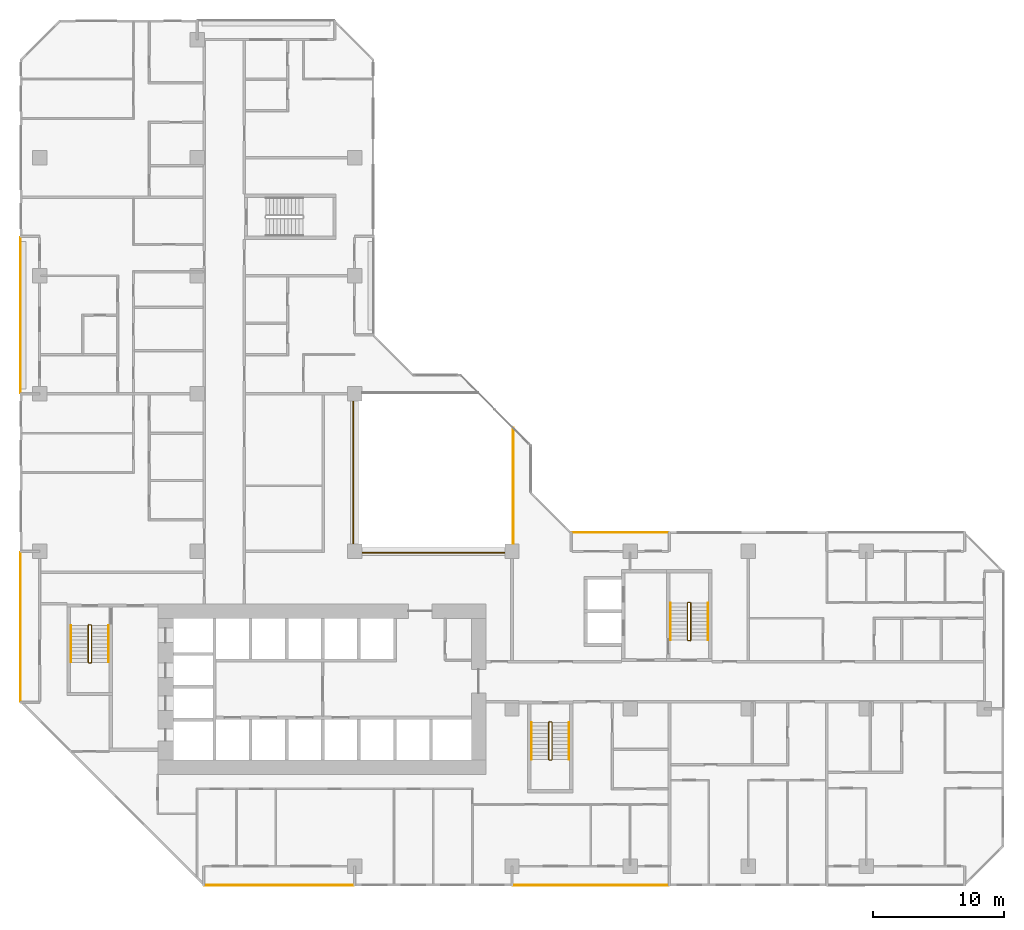
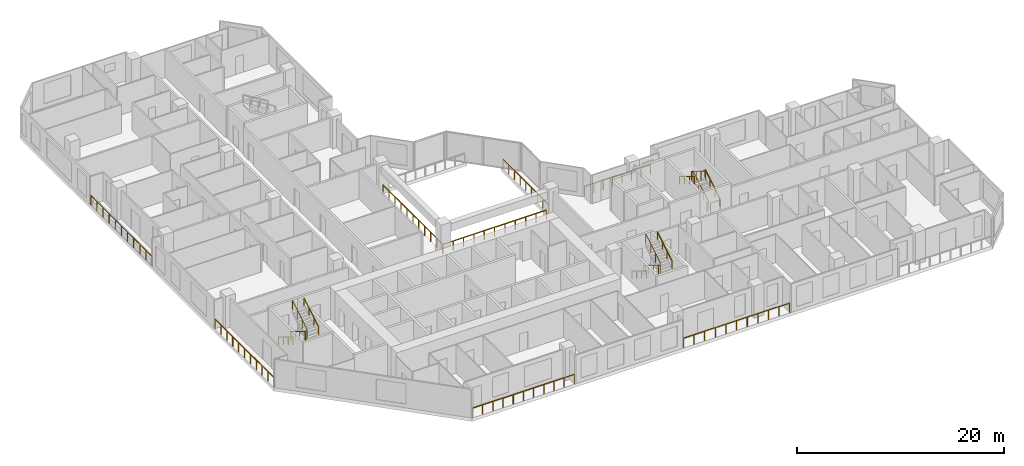
# One storey, part 14 of 15: 16 railings.
"""IFC4 building model written with IfcOpenShell, lengths in metres."""

from ifc_helpers import new_model, si_unit, direction, frame, origin, origin_2d, place, context, subcontext, project, spatial, rectangle, extrude, material, type_object, element, save


model = new_model("IFC4")

# Units and contexts
model_context = context("Model", 3, precision=1e-05, world=origin(), true_north=direction((0.0, 1.0)))
body_context = subcontext(model_context, "Body", "Model", "MODEL_VIEW")
ifc_project = project(units=[si_unit("LENGTHUNIT", "METRE"), si_unit("AREAUNIT", "SQUARE_METRE"), si_unit("VOLUMEUNIT", "CUBIC_METRE"), si_unit("PLANEANGLEUNIT", "RADIAN"), si_unit("MASSUNIT", "GRAM", prefix="KILO")], contexts=[model_context])

# Site, building, storey
site_placement = place(None, origin())
site = spatial("IfcSite", under=ifc_project, at=site_placement, CompositionType="ELEMENT")
building_placement = place(site_placement, origin())
building = spatial("IfcBuilding", under=site, at=building_placement, Name="Chenar Terraces", CompositionType="ELEMENT")
storey_placement = place(building_placement, frame((0.0, 0.0, 45.14990234375)))
storey = spatial("IfcBuildingStorey", under=building, at=storey_placement, Name="L08", CompositionType="ELEMENT", Elevation=45.14990234375)

# Railings
ifc_material_1 = material(Name="Powder-coated steel", Category="steel")
railing_type_1 = type_object("IfcRailingType", Name="Guard 1100 steel rail with glass infill", PredefinedType="GUARDRAIL", material=ifc_material_1)
railing_1_placement = place(storey_placement, frame((23.89990234375, 35.449951171875, 0.0)))
element("IfcRailing", 1, at=railing_1_placement, inside=storey, type_object=railing_type_1, Name="Guard L08-1", PredefinedType="GUARDRAIL", context=body_context, shape_type="SweptSolid", body=[
    extrude(rectangle(XDim=0.06005859375, YDim=0.06005859375, at=origin_2d()), frame((0.0, 0.0, 1.070068359375), z_axis=(0.0, -1.0, 0.0), x_axis=(1.0, 0.0, 0.0)), (0.0, 0.0, 1.0), 11.550048828125),
    extrude(rectangle(XDim=0.06005859375, YDim=0.06005859375, at=origin_2d()), frame((0.0, -11.550048828125, 1.070068359375), z_axis=(1.0, 0.0, 0.0), x_axis=(0.0, 1.0, 0.0)), (0.0, 0.0, 1.0), 11.550048828125),
    extrude(rectangle(XDim=0.050048828125, YDim=0.050048828125, at=origin_2d()), origin(), (0.0, 0.0, 1.0), 1.0400390625),
    extrude(rectangle(XDim=0.050048828125, YDim=0.050048828125, at=origin_2d()), frame((0.0, -1.155029296875, 0.0)), (0.0, 0.0, 1.0), 1.0400390625),
    extrude(rectangle(XDim=0.050048828125, YDim=0.050048828125, at=origin_2d()), frame((0.0, -2.31005859375, 0.0)), (0.0, 0.0, 1.0), 1.0400390625),
    extrude(rectangle(XDim=0.050048828125, YDim=0.050048828125, at=origin_2d()), frame((0.0, -3.465087890625, 0.0)), (0.0, 0.0, 1.0), 1.0400390625),
    extrude(rectangle(XDim=0.050048828125, YDim=0.050048828125, at=origin_2d()), frame((0.0, -4.6201171875, 0.0)), (0.0, 0.0, 1.0), 1.0400390625),
    extrude(rectangle(XDim=0.050048828125, YDim=0.050048828125, at=origin_2d()), frame((0.0, -5.77490234375, 0.0)), (0.0, 0.0, 1.0), 1.0400390625),
    extrude(rectangle(XDim=0.050048828125, YDim=0.050048828125, at=origin_2d()), frame((0.0, -6.929931640625, 0.0)), (0.0, 0.0, 1.0), 1.0400390625),
    extrude(rectangle(XDim=0.050048828125, YDim=0.050048828125, at=origin_2d()), frame((0.0, -8.0849609375, 0.0)), (0.0, 0.0, 1.0), 1.0400390625),
    extrude(rectangle(XDim=0.050048828125, YDim=0.050048828125, at=origin_2d()), frame((0.0, -9.239990234375, 0.0)), (0.0, 0.0, 1.0), 1.0400390625),
    extrude(rectangle(XDim=0.050048828125, YDim=0.050048828125, at=origin_2d()), frame((0.0, -10.39501953125, 0.0)), (0.0, 0.0, 1.0), 1.0400390625),
    extrude(rectangle(XDim=0.050048828125, YDim=0.050048828125, at=origin_2d()), frame((0.0, -11.550048828125, 0.0)), (0.0, 0.0, 1.0), 1.0400390625),
    extrude(rectangle(XDim=0.050048828125, YDim=0.050048828125, at=origin_2d()), frame((1.155029296875, -11.550048828125, 0.0)), (0.0, 0.0, 1.0), 1.0400390625),
    extrude(rectangle(XDim=0.050048828125, YDim=0.050048828125, at=origin_2d()), frame((2.31005859375, -11.550048828125, 0.0)), (0.0, 0.0, 1.0), 1.0400390625),
    extrude(rectangle(XDim=0.050048828125, YDim=0.050048828125, at=origin_2d()), frame((3.465087890625, -11.550048828125, 0.0)), (0.0, 0.0, 1.0), 1.0400390625),
    extrude(rectangle(XDim=0.050048828125, YDim=0.050048828125, at=origin_2d()), frame((4.6201171875, -11.550048828125, 0.0)), (0.0, 0.0, 1.0), 1.0400390625),
    extrude(rectangle(XDim=0.050048828125, YDim=0.050048828125, at=origin_2d()), frame((5.77490234375, -11.550048828125, 0.0)), (0.0, 0.0, 1.0), 1.0400390625),
    extrude(rectangle(XDim=0.050048828125, YDim=0.050048828125, at=origin_2d()), frame((6.929931640625, -11.550048828125, 0.0)), (0.0, 0.0, 1.0), 1.0400390625),
    extrude(rectangle(XDim=0.050048828125, YDim=0.050048828125, at=origin_2d()), frame((8.0849609375, -11.550048828125, 0.0)), (0.0, 0.0, 1.0), 1.0400390625),
    extrude(rectangle(XDim=0.050048828125, YDim=0.050048828125, at=origin_2d()), frame((9.239990234375, -11.550048828125, 0.0)), (0.0, 0.0, 1.0), 1.0400390625),
    extrude(rectangle(XDim=0.050048828125, YDim=0.050048828125, at=origin_2d()), frame((10.39501953125, -11.550048828125, 0.0)), (0.0, 0.0, 1.0), 1.0400390625),
    extrude(rectangle(XDim=0.050048828125, YDim=0.050048828125, at=origin_2d()), frame((11.550048828125, -11.550048828125, 0.0)), (0.0, 0.0, 1.0), 1.0400390625),
])
railing_2_placement = place(storey_placement, frame((36.10009765625, 24.60009765625, 0.0)))
element("IfcRailing", 2, at=railing_2_placement, inside=storey, type_object=railing_type_1, Name="Guard L08-3", PredefinedType="GUARDRAIL", context=body_context, shape_type="SweptSolid", body=[
    extrude(rectangle(XDim=0.06005859375, YDim=0.06005859375, at=origin_2d()), frame((0.0, 0.0, 1.070068359375), z_axis=(0.0, 1.0, 0.0), x_axis=(-1.0, 0.0, 0.0)), (0.0, 0.0, 1.0), 8.7998046875),
    extrude(rectangle(XDim=0.050048828125, YDim=0.050048828125, at=origin_2d()), origin(), (0.0, 0.0, 1.0), 1.0400390625),
    extrude(rectangle(XDim=0.050048828125, YDim=0.050048828125, at=origin_2d()), frame((0.0, 1.10009765625, 0.0)), (0.0, 0.0, 1.0), 1.0400390625),
    extrude(rectangle(XDim=0.050048828125, YDim=0.050048828125, at=origin_2d()), frame((0.0, 2.199951171875, 0.0)), (0.0, 0.0, 1.0), 1.0400390625),
    extrude(rectangle(XDim=0.050048828125, YDim=0.050048828125, at=origin_2d()), frame((0.0, 3.2998046875, 0.0)), (0.0, 0.0, 1.0), 1.0400390625),
    extrude(rectangle(XDim=0.050048828125, YDim=0.050048828125, at=origin_2d()), frame((0.0, 4.39990234375, 0.0)), (0.0, 0.0, 1.0), 1.0400390625),
    extrude(rectangle(XDim=0.050048828125, YDim=0.050048828125, at=origin_2d()), frame((0.0, 5.5, 0.0)), (0.0, 0.0, 1.0), 1.0400390625),
    extrude(rectangle(XDim=0.050048828125, YDim=0.050048828125, at=origin_2d()), frame((0.0, 6.599853515625, 0.0)), (0.0, 0.0, 1.0), 1.0400390625),
    extrude(rectangle(XDim=0.050048828125, YDim=0.050048828125, at=origin_2d()), frame((0.0, 7.69970703125, 0.0)), (0.0, 0.0, 1.0), 1.0400390625),
    extrude(rectangle(XDim=0.050048828125, YDim=0.050048828125, at=origin_2d()), frame((0.0, 8.7998046875, 0.0)), (0.0, 0.0, 1.0), 1.0400390625),
])
ifc_material_2 = material(Name="Stainless steel and glass", Category="steel")
railing_type_2 = type_object("IfcRailingType", Name="Loggia guard 1150", PredefinedType="GUARDRAIL", material=ifc_material_2)
railing_3_placement = place(storey_placement, frame((47.925048828125, 25.449951171875, 0.0)))
element("IfcRailing", 3, at=railing_3_placement, inside=storey, type_object=railing_type_2, Name="Loggia guard", PredefinedType="GUARDRAIL", context=body_context, shape_type="SweptSolid", body=[
    extrude(rectangle(XDim=0.048095703125, YDim=0.048095703125, at=origin_2d()), frame((0.0, 0.0, 1.1259765625), z_axis=(-1.0, 0.0, 0.0), x_axis=(0.0, -1.0, 0.0)), (0.0, 0.0, 1.0), 7.35009765625),
    extrude(rectangle(XDim=0.0419921875, YDim=0.0419921875, at=origin_2d()), origin(), (0.0, 0.0, 1.0), 1.101806640625),
    extrude(rectangle(XDim=0.0419921875, YDim=0.0419921875, at=origin_2d()), frame((-1.050048828125, 0.0, 0.0)), (0.0, 0.0, 1.0), 1.101806640625),
    extrude(rectangle(XDim=0.0419921875, YDim=0.0419921875, at=origin_2d()), frame((-2.10009765625, 0.0, 0.0)), (0.0, 0.0, 1.0), 1.101806640625),
    extrude(rectangle(XDim=0.0419921875, YDim=0.0419921875, at=origin_2d()), frame((-3.150146484375, 0.0, 0.0)), (0.0, 0.0, 1.0), 1.101806640625),
    extrude(rectangle(XDim=0.0419921875, YDim=0.0419921875, at=origin_2d()), frame((-4.199951171875, 0.0, 0.0)), (0.0, 0.0, 1.0), 1.101806640625),
    extrude(rectangle(XDim=0.0419921875, YDim=0.0419921875, at=origin_2d()), frame((-5.25, 0.0, 0.0)), (0.0, 0.0, 1.0), 1.101806640625),
    extrude(rectangle(XDim=0.0419921875, YDim=0.0419921875, at=origin_2d()), frame((-6.300048828125, 0.0, 0.0)), (0.0, 0.0, 1.0), 1.101806640625),
    extrude(rectangle(XDim=0.0419921875, YDim=0.0419921875, at=origin_2d()), frame((-7.35009765625, 0.0, 0.0)), (0.0, 0.0, 1.0), 1.101806640625),
])
railing_4_placement = place(storey_placement, frame((12.574951171875, -1.449951171875, 0.0)))
element("IfcRailing", 4, at=railing_4_placement, inside=storey, type_object=railing_type_2, Name="Loggia guard", PredefinedType="GUARDRAIL", context=body_context, shape_type="SweptSolid", body=[
    extrude(rectangle(XDim=0.048095703125, YDim=0.048095703125, at=origin_2d()), frame((0.0, 0.0, 1.1259765625), z_axis=(1.0, 0.0, 0.0), x_axis=(0.0, 1.0, 0.0)), (0.0, 0.0, 1.0), 11.35009765625),
    extrude(rectangle(XDim=0.0419921875, YDim=0.0419921875, at=origin_2d()), origin(), (0.0, 0.0, 1.0), 1.101806640625),
    extrude(rectangle(XDim=0.0419921875, YDim=0.0419921875, at=origin_2d()), frame((1.135009765625, 0.0, 0.0)), (0.0, 0.0, 1.0), 1.101806640625),
    extrude(rectangle(XDim=0.0419921875, YDim=0.0419921875, at=origin_2d()), frame((2.27001953125, 0.0, 0.0)), (0.0, 0.0, 1.0), 1.101806640625),
    extrude(rectangle(XDim=0.0419921875, YDim=0.0419921875, at=origin_2d()), frame((3.405029296875, 0.0, 0.0)), (0.0, 0.0, 1.0), 1.101806640625),
    extrude(rectangle(XDim=0.0419921875, YDim=0.0419921875, at=origin_2d()), frame((4.5400390625, 0.0, 0.0)), (0.0, 0.0, 1.0), 1.101806640625),
    extrude(rectangle(XDim=0.0419921875, YDim=0.0419921875, at=origin_2d()), frame((5.675048828125, 0.0, 0.0)), (0.0, 0.0, 1.0), 1.101806640625),
    extrude(rectangle(XDim=0.0419921875, YDim=0.0419921875, at=origin_2d()), frame((6.81005859375, 0.0, 0.0)), (0.0, 0.0, 1.0), 1.101806640625),
    extrude(rectangle(XDim=0.0419921875, YDim=0.0419921875, at=origin_2d()), frame((7.945068359375, 0.0, 0.0)), (0.0, 0.0, 1.0), 1.101806640625),
    extrude(rectangle(XDim=0.0419921875, YDim=0.0419921875, at=origin_2d()), frame((9.080078125, 0.0, 0.0)), (0.0, 0.0, 1.0), 1.101806640625),
    extrude(rectangle(XDim=0.0419921875, YDim=0.0419921875, at=origin_2d()), frame((10.215087890625, 0.0, 0.0)), (0.0, 0.0, 1.0), 1.101806640625),
    extrude(rectangle(XDim=0.0419921875, YDim=0.0419921875, at=origin_2d()), frame((11.35009765625, 0.0, 0.0)), (0.0, 0.0, 1.0), 1.101806640625),
])
railing_5_placement = place(storey_placement, frame((36.074951171875, -1.449951171875, 0.0)))
element("IfcRailing", 5, at=railing_5_placement, inside=storey, type_object=railing_type_2, Name="Loggia guard", PredefinedType="GUARDRAIL", context=body_context, shape_type="SweptSolid", body=[
    extrude(rectangle(XDim=0.048095703125, YDim=0.048095703125, at=origin_2d()), frame((0.0, 0.0, 1.1259765625), z_axis=(1.0, 0.0, 0.0), x_axis=(0.0, 1.0, 0.0)), (0.0, 0.0, 1.0), 11.85009765625),
    extrude(rectangle(XDim=0.0419921875, YDim=0.0419921875, at=origin_2d()), origin(), (0.0, 0.0, 1.0), 1.101806640625),
    extrude(rectangle(XDim=0.0419921875, YDim=0.0419921875, at=origin_2d()), frame((1.18505859375, 0.0, 0.0)), (0.0, 0.0, 1.0), 1.101806640625),
    extrude(rectangle(XDim=0.0419921875, YDim=0.0419921875, at=origin_2d()), frame((2.3701171875, 0.0, 0.0)), (0.0, 0.0, 1.0), 1.101806640625),
    extrude(rectangle(XDim=0.0419921875, YDim=0.0419921875, at=origin_2d()), frame((3.554931640625, 0.0, 0.0)), (0.0, 0.0, 1.0), 1.101806640625),
    extrude(rectangle(XDim=0.0419921875, YDim=0.0419921875, at=origin_2d()), frame((4.739990234375, 0.0, 0.0)), (0.0, 0.0, 1.0), 1.101806640625),
    extrude(rectangle(XDim=0.0419921875, YDim=0.0419921875, at=origin_2d()), frame((5.925048828125, 0.0, 0.0)), (0.0, 0.0, 1.0), 1.101806640625),
    extrude(rectangle(XDim=0.0419921875, YDim=0.0419921875, at=origin_2d()), frame((7.110107421875, 0.0, 0.0)), (0.0, 0.0, 1.0), 1.101806640625),
    extrude(rectangle(XDim=0.0419921875, YDim=0.0419921875, at=origin_2d()), frame((8.295166015625, 0.0, 0.0)), (0.0, 0.0, 1.0), 1.101806640625),
    extrude(rectangle(XDim=0.0419921875, YDim=0.0419921875, at=origin_2d()), frame((9.47998046875, 0.0, 0.0)), (0.0, 0.0, 1.0), 1.101806640625),
    extrude(rectangle(XDim=0.0419921875, YDim=0.0419921875, at=origin_2d()), frame((10.6650390625, 0.0, 0.0)), (0.0, 0.0, 1.0), 1.101806640625),
    extrude(rectangle(XDim=0.0419921875, YDim=0.0419921875, at=origin_2d()), frame((11.85009765625, 0.0, 0.0)), (0.0, 0.0, 1.0), 1.101806640625),
])
railing_6_placement = place(storey_placement, frame((-1.449951171875, 47.925048828125, 0.0)))
element("IfcRailing", 6, at=railing_6_placement, inside=storey, type_object=railing_type_2, Name="Loggia guard", PredefinedType="GUARDRAIL", context=body_context, shape_type="SweptSolid", body=[
    extrude(rectangle(XDim=0.048095703125, YDim=0.048095703125, at=origin_2d()), frame((0.0, 0.0, 1.1259765625), z_axis=(0.0, -1.0, 0.0), x_axis=(1.0, 0.0, 0.0)), (0.0, 0.0, 1.0), 11.85009765625),
    extrude(rectangle(XDim=0.0419921875, YDim=0.0419921875, at=origin_2d()), origin(), (0.0, 0.0, 1.0), 1.101806640625),
    extrude(rectangle(XDim=0.0419921875, YDim=0.0419921875, at=origin_2d()), frame((0.0, -1.18505859375, 0.0)), (0.0, 0.0, 1.0), 1.101806640625),
    extrude(rectangle(XDim=0.0419921875, YDim=0.0419921875, at=origin_2d()), frame((0.0, -2.3701171875, 0.0)), (0.0, 0.0, 1.0), 1.101806640625),
    extrude(rectangle(XDim=0.0419921875, YDim=0.0419921875, at=origin_2d()), frame((0.0, -3.554931640625, 0.0)), (0.0, 0.0, 1.0), 1.101806640625),
    extrude(rectangle(XDim=0.0419921875, YDim=0.0419921875, at=origin_2d()), frame((0.0, -4.739990234375, 0.0)), (0.0, 0.0, 1.0), 1.101806640625),
    extrude(rectangle(XDim=0.0419921875, YDim=0.0419921875, at=origin_2d()), frame((0.0, -5.925048828125, 0.0)), (0.0, 0.0, 1.0), 1.101806640625),
    extrude(rectangle(XDim=0.0419921875, YDim=0.0419921875, at=origin_2d()), frame((0.0, -7.110107421875, 0.0)), (0.0, 0.0, 1.0), 1.101806640625),
    extrude(rectangle(XDim=0.0419921875, YDim=0.0419921875, at=origin_2d()), frame((0.0, -8.295166015625, 0.0)), (0.0, 0.0, 1.0), 1.101806640625),
    extrude(rectangle(XDim=0.0419921875, YDim=0.0419921875, at=origin_2d()), frame((0.0, -9.47998046875, 0.0)), (0.0, 0.0, 1.0), 1.101806640625),
    extrude(rectangle(XDim=0.0419921875, YDim=0.0419921875, at=origin_2d()), frame((0.0, -10.6650390625, 0.0)), (0.0, 0.0, 1.0), 1.101806640625),
    extrude(rectangle(XDim=0.0419921875, YDim=0.0419921875, at=origin_2d()), frame((0.0, -11.85009765625, 0.0)), (0.0, 0.0, 1.0), 1.101806640625),
])
railing_7_placement = place(storey_placement, frame((-1.449951171875, 23.925048828125, 0.0)))
element("IfcRailing", 7, at=railing_7_placement, inside=storey, type_object=railing_type_2, Name="Loggia guard", PredefinedType="GUARDRAIL", context=body_context, shape_type="SweptSolid", body=[
    extrude(rectangle(XDim=0.048095703125, YDim=0.048095703125, at=origin_2d()), frame((0.0, 0.0, 1.1259765625), z_axis=(0.0, -1.0, 0.0), x_axis=(1.0, 0.0, 0.0)), (0.0, 0.0, 1.0), 11.35009765625),
    extrude(rectangle(XDim=0.0419921875, YDim=0.0419921875, at=origin_2d()), origin(), (0.0, 0.0, 1.0), 1.101806640625),
    extrude(rectangle(XDim=0.0419921875, YDim=0.0419921875, at=origin_2d()), frame((0.0, -1.135009765625, 0.0)), (0.0, 0.0, 1.0), 1.101806640625),
    extrude(rectangle(XDim=0.0419921875, YDim=0.0419921875, at=origin_2d()), frame((0.0, -2.27001953125, 0.0)), (0.0, 0.0, 1.0), 1.101806640625),
    extrude(rectangle(XDim=0.0419921875, YDim=0.0419921875, at=origin_2d()), frame((0.0, -3.405029296875, 0.0)), (0.0, 0.0, 1.0), 1.101806640625),
    extrude(rectangle(XDim=0.0419921875, YDim=0.0419921875, at=origin_2d()), frame((0.0, -4.5400390625, 0.0)), (0.0, 0.0, 1.0), 1.101806640625),
    extrude(rectangle(XDim=0.0419921875, YDim=0.0419921875, at=origin_2d()), frame((0.0, -5.675048828125, 0.0)), (0.0, 0.0, 1.0), 1.101806640625),
    extrude(rectangle(XDim=0.0419921875, YDim=0.0419921875, at=origin_2d()), frame((0.0, -6.81005859375, 0.0)), (0.0, 0.0, 1.0), 1.101806640625),
    extrude(rectangle(XDim=0.0419921875, YDim=0.0419921875, at=origin_2d()), frame((0.0, -7.945068359375, 0.0)), (0.0, 0.0, 1.0), 1.101806640625),
    extrude(rectangle(XDim=0.0419921875, YDim=0.0419921875, at=origin_2d()), frame((0.0, -9.080078125, 0.0)), (0.0, 0.0, 1.0), 1.101806640625),
    extrude(rectangle(XDim=0.0419921875, YDim=0.0419921875, at=origin_2d()), frame((0.0, -10.215087890625, 0.0)), (0.0, 0.0, 1.0), 1.101806640625),
    extrude(rectangle(XDim=0.0419921875, YDim=0.0419921875, at=origin_2d()), frame((0.0, -11.35009765625, 0.0)), (0.0, 0.0, 1.0), 1.101806640625),
])
ifc_material_3 = material(Name="Powder-coated steel", Category="steel")
railing_type_3 = type_object("IfcRailingType", Name="Stair guard 1100", PredefinedType="GUARDRAIL", material=ifc_material_3)
railing_8_placement = place(storey_placement, frame((3.949951171875, 18.35009765625, 3.75)))
element("IfcRailing", 8, at=railing_8_placement, inside=storey, type_object=railing_type_3, Name="L08 ST1 stair guard 1", PredefinedType="GUARDRAIL", context=body_context, shape_type="SweptSolid", body=[
    extrude(rectangle(XDim=0.048095703125, YDim=0.048095703125, at=origin_2d()), frame((0.0, 0.0, 1.076171875), z_axis=(0.0, -0.854202870247, -0.519939858505), x_axis=(1.0, 0.0, 0.0)), (0.0, 0.0, 1.0), 3.278076171875),
    extrude(rectangle(XDim=0.048095703125, YDim=0.048095703125, at=origin_2d()), frame((0.0, -2.800048828125, -0.62841796875), z_axis=(-0.270899902878, -0.270899902878, -0.923702595667), x_axis=(0.707106781187, -0.707106781187, 0.0)), (0.0, 0.0, 1.0), 0.184814453125),
    extrude(rectangle(XDim=0.048095703125, YDim=0.048095703125, at=origin_2d()), frame((-0.050048828125, -2.85009765625, -0.798828125), z_axis=(-1.0, 0.0, 0.0), x_axis=(0.0, -1.0, 0.0)), (0.0, 0.0, 1.0), 0.14990234375),
    extrude(rectangle(XDim=0.048095703125, YDim=0.048095703125, at=origin_2d()), frame((-0.199951171875, -2.85009765625, -0.798828125), z_axis=(-0.707106781187, 0.707106781187, 0.0), x_axis=(-0.707106781187, -0.707106781187, 0.0)), (0.0, 0.0, 1.0), 0.07080078125),
    extrude(rectangle(XDim=0.048095703125, YDim=0.048095703125, at=origin_2d()), frame((-0.25, -2.800048828125, -0.798828125), z_axis=(0.0, 0.854202870247, -0.519939858505), x_axis=(-1.0, 0.0, 0.0)), (0.0, 0.0, 1.0), 3.278076171875),
    extrude(rectangle(XDim=0.048095703125, YDim=0.048095703125, at=origin_2d()), frame((-0.25, 0.0, -2.50341796875), z_axis=(0.270996696079, 0.269674760976, -0.924032636873), x_axis=(-0.705375805398, 0.708833529934, 0.0)), (0.0, 0.0, 1.0), 0.1845703125),
    extrude(rectangle(XDim=0.048095703125, YDim=0.048095703125, at=origin_2d()), frame((-0.199951171875, 0.0498046875, -2.673828125), z_axis=(1.0, 0.0, 0.0), x_axis=(0.0, 1.0, 0.0)), (0.0, 0.0, 1.0), 0.14990234375),
    extrude(rectangle(XDim=0.0419921875, YDim=0.0419921875, at=origin_2d()), origin(), (0.0, 0.0, 1.0), 1.052001953125),
    extrude(rectangle(XDim=0.0419921875, YDim=0.0419921875, at=origin_2d()), frame((0.0, -0.933349609375, -0.568115234375)), (0.0, 0.0, 1.0), 1.052001953125),
    extrude(rectangle(XDim=0.0419921875, YDim=0.0419921875, at=origin_2d()), frame((0.0, -1.86669921875, -1.13623046875)), (0.0, 0.0, 1.0), 1.052001953125),
    extrude(rectangle(XDim=0.0419921875, YDim=0.0419921875, at=origin_2d()), frame((0.0, -2.800048828125, -1.704345703125)), (0.0, 0.0, 1.0), 1.052001953125),
    extrude(rectangle(XDim=0.0419921875, YDim=0.0419921875, at=origin_2d()), frame((-0.050048828125, -2.85009765625, -1.875)), (0.0, 0.0, 1.0), 1.052001953125),
    extrude(rectangle(XDim=0.0419921875, YDim=0.0419921875, at=origin_2d()), frame((-0.199951171875, -2.85009765625, -1.875)), (0.0, 0.0, 1.0), 1.052001953125),
    extrude(rectangle(XDim=0.0419921875, YDim=0.0419921875, at=origin_2d()), frame((-0.25, -2.800048828125, -1.875)), (0.0, 0.0, 1.0), 1.052001953125),
    extrude(rectangle(XDim=0.0419921875, YDim=0.0419921875, at=origin_2d()), frame((-0.25, -1.86669921875, -2.443115234375)), (0.0, 0.0, 1.0), 1.052001953125),
    extrude(rectangle(XDim=0.0419921875, YDim=0.0419921875, at=origin_2d()), frame((-0.25, -0.933349609375, -3.01123046875)), (0.0, 0.0, 1.0), 1.052001953125),
    extrude(rectangle(XDim=0.0419921875, YDim=0.0419921875, at=origin_2d()), frame((-0.25, 0.0, -3.579345703125)), (0.0, 0.0, 1.0), 1.052001953125),
    extrude(rectangle(XDim=0.0419921875, YDim=0.0419921875, at=origin_2d()), frame((-0.199951171875, 0.0498046875, -3.75)), (0.0, 0.0, 1.0), 1.052001953125),
    extrude(rectangle(XDim=0.0419921875, YDim=0.0419921875, at=origin_2d()), frame((-0.050048828125, 0.0498046875, -3.75)), (0.0, 0.0, 1.0), 1.052001953125),
])
railing_9_placement = place(storey_placement, frame((39.050048828125, 10.949951171875, 3.75)))
element("IfcRailing", 9, at=railing_9_placement, inside=storey, type_object=railing_type_3, Name="L08 ST2 stair guard 1", PredefinedType="GUARDRAIL", context=body_context, shape_type="SweptSolid", body=[
    extrude(rectangle(XDim=0.048095703125, YDim=0.048095703125, at=origin_2d()), frame((0.0, 0.0, 1.076171875), z_axis=(0.0, -0.854202870247, -0.519939858505), x_axis=(1.0, 0.0, 0.0)), (0.0, 0.0, 1.0), 3.278076171875),
    extrude(rectangle(XDim=0.048095703125, YDim=0.048095703125, at=origin_2d()), frame((0.0, -2.800048828125, -0.62841796875), z_axis=(-0.270996696079, -0.269674760976, -0.924032636873), x_axis=(0.705375805398, -0.708833529934, 0.0)), (0.0, 0.0, 1.0), 0.1845703125),
    extrude(rectangle(XDim=0.048095703125, YDim=0.048095703125, at=origin_2d()), frame((-0.050048828125, -2.849853515625, -0.798828125), z_axis=(-1.0, 0.0, 0.0), x_axis=(0.0, -1.0, 0.0)), (0.0, 0.0, 1.0), 0.14990234375),
    extrude(rectangle(XDim=0.048095703125, YDim=0.048095703125, at=origin_2d()), frame((-0.199951171875, -2.849853515625, -0.798828125), z_axis=(-0.708833529934, 0.705375805398, 0.0), x_axis=(-0.705375805398, -0.708833529934, 0.0)), (0.0, 0.0, 1.0), 0.070556640625),
    extrude(rectangle(XDim=0.048095703125, YDim=0.048095703125, at=origin_2d()), frame((-0.25, -2.800048828125, -0.798828125), z_axis=(0.0, 0.854202870247, -0.519939858505), x_axis=(-1.0, 0.0, 0.0)), (0.0, 0.0, 1.0), 3.278076171875),
    extrude(rectangle(XDim=0.048095703125, YDim=0.048095703125, at=origin_2d()), frame((-0.25, 0.0, -2.50341796875), z_axis=(0.270899902878, 0.270899902878, -0.923702595667), x_axis=(-0.707106781187, 0.707106781187, 0.0)), (0.0, 0.0, 1.0), 0.184814453125),
    extrude(rectangle(XDim=0.048095703125, YDim=0.048095703125, at=origin_2d()), frame((-0.199951171875, 0.050048828125, -2.673828125), z_axis=(1.0, 0.0, 0.0), x_axis=(0.0, 1.0, 0.0)), (0.0, 0.0, 1.0), 0.14990234375),
    extrude(rectangle(XDim=0.0419921875, YDim=0.0419921875, at=origin_2d()), origin(), (0.0, 0.0, 1.0), 1.052001953125),
    extrude(rectangle(XDim=0.0419921875, YDim=0.0419921875, at=origin_2d()), frame((0.0, -0.933349609375, -0.568115234375)), (0.0, 0.0, 1.0), 1.052001953125),
    extrude(rectangle(XDim=0.0419921875, YDim=0.0419921875, at=origin_2d()), frame((0.0, -1.86669921875, -1.13623046875)), (0.0, 0.0, 1.0), 1.052001953125),
    extrude(rectangle(XDim=0.0419921875, YDim=0.0419921875, at=origin_2d()), frame((0.0, -2.800048828125, -1.704345703125)), (0.0, 0.0, 1.0), 1.052001953125),
    extrude(rectangle(XDim=0.0419921875, YDim=0.0419921875, at=origin_2d()), frame((-0.050048828125, -2.849853515625, -1.875)), (0.0, 0.0, 1.0), 1.052001953125),
    extrude(rectangle(XDim=0.0419921875, YDim=0.0419921875, at=origin_2d()), frame((-0.199951171875, -2.849853515625, -1.875)), (0.0, 0.0, 1.0), 1.052001953125),
    extrude(rectangle(XDim=0.0419921875, YDim=0.0419921875, at=origin_2d()), frame((-0.25, -2.800048828125, -1.875)), (0.0, 0.0, 1.0), 1.052001953125),
    extrude(rectangle(XDim=0.0419921875, YDim=0.0419921875, at=origin_2d()), frame((-0.25, -1.86669921875, -2.443115234375)), (0.0, 0.0, 1.0), 1.052001953125),
    extrude(rectangle(XDim=0.0419921875, YDim=0.0419921875, at=origin_2d()), frame((-0.25, -0.933349609375, -3.01123046875)), (0.0, 0.0, 1.0), 1.052001953125),
    extrude(rectangle(XDim=0.0419921875, YDim=0.0419921875, at=origin_2d()), frame((-0.25, 0.0, -3.579345703125)), (0.0, 0.0, 1.0), 1.052001953125),
    extrude(rectangle(XDim=0.0419921875, YDim=0.0419921875, at=origin_2d()), frame((-0.199951171875, 0.050048828125, -3.75)), (0.0, 0.0, 1.0), 1.052001953125),
    extrude(rectangle(XDim=0.0419921875, YDim=0.0419921875, at=origin_2d()), frame((-0.050048828125, 0.050048828125, -3.75)), (0.0, 0.0, 1.0), 1.052001953125),
])
railing_10_placement = place(storey_placement, frame((49.375, 17.25, 3.75)))
element("IfcRailing", 10, at=railing_10_placement, inside=storey, type_object=railing_type_3, Name="L08 ST3 stair guard 1", PredefinedType="GUARDRAIL", context=body_context, shape_type="SweptSolid", body=[
    extrude(rectangle(XDim=0.048095703125, YDim=0.048095703125, at=origin_2d()), frame((0.0, 0.0, 1.076171875), z_axis=(0.0, 0.854202870247, -0.519939858505), x_axis=(-1.0, 0.0, 0.0)), (0.0, 0.0, 1.0), 3.278076171875),
    extrude(rectangle(XDim=0.048095703125, YDim=0.048095703125, at=origin_2d()), frame((0.0, 2.800048828125, -0.62841796875), z_axis=(0.270899902878, 0.270899902878, -0.923702595667), x_axis=(-0.707106781187, 0.707106781187, 0.0)), (0.0, 0.0, 1.0), 0.184814453125),
    extrude(rectangle(XDim=0.048095703125, YDim=0.048095703125, at=origin_2d()), frame((0.050048828125, 2.85009765625, -0.798828125), z_axis=(1.0, 0.0, 0.0), x_axis=(0.0, 1.0, 0.0)), (0.0, 0.0, 1.0), 0.14990234375),
    extrude(rectangle(XDim=0.048095703125, YDim=0.048095703125, at=origin_2d()), frame((0.199951171875, 2.85009765625, -0.798828125), z_axis=(0.707106781187, -0.707106781187, 0.0), x_axis=(0.707106781187, 0.707106781187, 0.0)), (0.0, 0.0, 1.0), 0.07080078125),
    extrude(rectangle(XDim=0.048095703125, YDim=0.048095703125, at=origin_2d()), frame((0.25, 2.800048828125, -0.798828125), z_axis=(0.0, -0.854202870247, -0.519939858505), x_axis=(1.0, 0.0, 0.0)), (0.0, 0.0, 1.0), 3.278076171875),
    extrude(rectangle(XDim=0.048095703125, YDim=0.048095703125, at=origin_2d()), frame((0.25, 0.0, -2.50341796875), z_axis=(-0.270899902878, -0.270899902878, -0.923702595667), x_axis=(0.707106781187, -0.707106781187, 0.0)), (0.0, 0.0, 1.0), 0.184814453125),
    extrude(rectangle(XDim=0.048095703125, YDim=0.048095703125, at=origin_2d()), frame((0.199951171875, -0.050048828125, -2.673828125), z_axis=(-1.0, 0.0, 0.0), x_axis=(0.0, -1.0, 0.0)), (0.0, 0.0, 1.0), 0.14990234375),
    extrude(rectangle(XDim=0.0419921875, YDim=0.0419921875, at=origin_2d()), origin(), (0.0, 0.0, 1.0), 1.052001953125),
    extrude(rectangle(XDim=0.0419921875, YDim=0.0419921875, at=origin_2d()), frame((0.0, 0.933349609375, -0.568115234375)), (0.0, 0.0, 1.0), 1.052001953125),
    extrude(rectangle(XDim=0.0419921875, YDim=0.0419921875, at=origin_2d()), frame((0.0, 1.86669921875, -1.13623046875)), (0.0, 0.0, 1.0), 1.052001953125),
    extrude(rectangle(XDim=0.0419921875, YDim=0.0419921875, at=origin_2d()), frame((0.0, 2.800048828125, -1.704345703125)), (0.0, 0.0, 1.0), 1.052001953125),
    extrude(rectangle(XDim=0.0419921875, YDim=0.0419921875, at=origin_2d()), frame((0.050048828125, 2.85009765625, -1.875)), (0.0, 0.0, 1.0), 1.052001953125),
    extrude(rectangle(XDim=0.0419921875, YDim=0.0419921875, at=origin_2d()), frame((0.199951171875, 2.85009765625, -1.875)), (0.0, 0.0, 1.0), 1.052001953125),
    extrude(rectangle(XDim=0.0419921875, YDim=0.0419921875, at=origin_2d()), frame((0.25, 2.800048828125, -1.875)), (0.0, 0.0, 1.0), 1.052001953125),
    extrude(rectangle(XDim=0.0419921875, YDim=0.0419921875, at=origin_2d()), frame((0.25, 1.86669921875, -2.443115234375)), (0.0, 0.0, 1.0), 1.052001953125),
    extrude(rectangle(XDim=0.0419921875, YDim=0.0419921875, at=origin_2d()), frame((0.25, 0.933349609375, -3.01123046875)), (0.0, 0.0, 1.0), 1.052001953125),
    extrude(rectangle(XDim=0.0419921875, YDim=0.0419921875, at=origin_2d()), frame((0.25, 0.0, -3.579345703125)), (0.0, 0.0, 1.0), 1.052001953125),
    extrude(rectangle(XDim=0.0419921875, YDim=0.0419921875, at=origin_2d()), frame((0.199951171875, -0.050048828125, -3.75)), (0.0, 0.0, 1.0), 1.052001953125),
    extrude(rectangle(XDim=0.0419921875, YDim=0.0419921875, at=origin_2d()), frame((0.050048828125, -0.050048828125, -3.75)), (0.0, 0.0, 1.0), 1.052001953125),
])
ifc_material_4 = material(Name="Powder-coated steel", Category="steel")
railing_type_4 = type_object("IfcRailingType", Name="Stair handrail 900", PredefinedType="HANDRAIL", material=ifc_material_4)
railing_11_placement = place(storey_placement, frame((2.39990234375, 18.35009765625, 0.170654296875)))
element("IfcRailing", 11, at=railing_11_placement, inside=storey, type_object=railing_type_4, Name="L08 ST1 stair handrail 1", PredefinedType="HANDRAIL", context=body_context, shape_type="SweptSolid", body=[
    extrude(rectangle(XDim=0.048095703125, YDim=0.048095703125, at=origin_2d()), frame((0.0, 0.0, 0.8759765625), z_axis=(0.0, -0.854202870247, 0.519939858505), x_axis=(1.0, 0.0, 0.0)), (0.0, 0.0, 1.0), 3.278076171875),
    extrude(rectangle(XDim=0.0419921875, YDim=0.0419921875, at=origin_2d()), origin(), (0.0, 0.0, 1.0), 0.851806640625),
    extrude(rectangle(XDim=0.0419921875, YDim=0.0419921875, at=origin_2d()), frame((0.0, -0.933349609375, 0.568115234375)), (0.0, 0.0, 1.0), 0.851806640625),
    extrude(rectangle(XDim=0.0419921875, YDim=0.0419921875, at=origin_2d()), frame((0.0, -1.86669921875, 1.13623046875)), (0.0, 0.0, 1.0), 0.851806640625),
    extrude(rectangle(XDim=0.0419921875, YDim=0.0419921875, at=origin_2d()), frame((0.0, -2.800048828125, 1.704345703125)), (0.0, 0.0, 1.0), 0.851806640625),
])
railing_12_placement = place(storey_placement, frame((5.25, 15.550048828125, 2.045654296875)))
element("IfcRailing", 12, at=railing_12_placement, inside=storey, type_object=railing_type_4, Name="L08 ST1 stair handrail 2", PredefinedType="HANDRAIL", context=body_context, shape_type="SweptSolid", body=[
    extrude(rectangle(XDim=0.048095703125, YDim=0.048095703125, at=origin_2d()), frame((0.0, 0.0, 0.8759765625), z_axis=(0.0, 0.854202870247, 0.519939858505), x_axis=(-1.0, 0.0, 0.0)), (0.0, 0.0, 1.0), 3.278076171875),
    extrude(rectangle(XDim=0.0419921875, YDim=0.0419921875, at=origin_2d()), origin(), (0.0, 0.0, 1.0), 0.851806640625),
    extrude(rectangle(XDim=0.0419921875, YDim=0.0419921875, at=origin_2d()), frame((0.0, 0.933349609375, 0.568115234375)), (0.0, 0.0, 1.0), 0.851806640625),
    extrude(rectangle(XDim=0.0419921875, YDim=0.0419921875, at=origin_2d()), frame((0.0, 1.86669921875, 1.13623046875)), (0.0, 0.0, 1.0), 0.851806640625),
    extrude(rectangle(XDim=0.0419921875, YDim=0.0419921875, at=origin_2d()), frame((0.0, 2.800048828125, 1.704345703125)), (0.0, 0.0, 1.0), 0.851806640625),
])
railing_13_placement = place(storey_placement, frame((37.5, 10.949951171875, 0.170654296875)))
element("IfcRailing", 13, at=railing_13_placement, inside=storey, type_object=railing_type_4, Name="L08 ST2 stair handrail 1", PredefinedType="HANDRAIL", context=body_context, shape_type="SweptSolid", body=[
    extrude(rectangle(XDim=0.048095703125, YDim=0.048095703125, at=origin_2d()), frame((0.0, 0.0, 0.8759765625), z_axis=(0.0, -0.854202870247, 0.519939858505), x_axis=(1.0, 0.0, 0.0)), (0.0, 0.0, 1.0), 3.278076171875),
    extrude(rectangle(XDim=0.0419921875, YDim=0.0419921875, at=origin_2d()), origin(), (0.0, 0.0, 1.0), 0.851806640625),
    extrude(rectangle(XDim=0.0419921875, YDim=0.0419921875, at=origin_2d()), frame((0.0, -0.933349609375, 0.568115234375)), (0.0, 0.0, 1.0), 0.851806640625),
    extrude(rectangle(XDim=0.0419921875, YDim=0.0419921875, at=origin_2d()), frame((0.0, -1.86669921875, 1.13623046875)), (0.0, 0.0, 1.0), 0.851806640625),
    extrude(rectangle(XDim=0.0419921875, YDim=0.0419921875, at=origin_2d()), frame((0.0, -2.800048828125, 1.704345703125)), (0.0, 0.0, 1.0), 0.851806640625),
])
for number, where, name in (
    (14, (40.35009765625, 8.14990234375, 2.045654296875), "L08 ST2 stair handrail 2"),
    (15, (50.925048828125, 17.25, 0.170654296875), "L08 ST3 stair handrail 1"),
):
    element("IfcRailing", number, at=place(storey_placement, frame(where)), inside=storey, type_object=railing_type_4, Name=name, PredefinedType="HANDRAIL", context=body_context, shape_type="SweptSolid", body=[
        extrude(rectangle(XDim=0.048095703125, YDim=0.048095703125, at=origin_2d()), frame((0.0, 0.0, 0.8759765625), z_axis=(0.0, 0.854202870247, 0.519939858505), x_axis=(-1.0, 0.0, 0.0)), (0.0, 0.0, 1.0), 3.278076171875),
        extrude(rectangle(XDim=0.0419921875, YDim=0.0419921875, at=origin_2d()), origin(), (0.0, 0.0, 1.0), 0.851806640625),
        extrude(rectangle(XDim=0.0419921875, YDim=0.0419921875, at=origin_2d()), frame((0.0, 0.933349609375, 0.568115234375)), (0.0, 0.0, 1.0), 0.851806640625),
        extrude(rectangle(XDim=0.0419921875, YDim=0.0419921875, at=origin_2d()), frame((0.0, 1.86669921875, 1.13623046875)), (0.0, 0.0, 1.0), 0.851806640625),
        extrude(rectangle(XDim=0.0419921875, YDim=0.0419921875, at=origin_2d()), frame((0.0, 2.800048828125, 1.704345703125)), (0.0, 0.0, 1.0), 0.851806640625),
    ])
railing_14_placement = place(storey_placement, frame((48.074951171875, 20.050048828125, 2.045654296875)))
element("IfcRailing", 16, at=railing_14_placement, inside=storey, type_object=railing_type_4, Name="L08 ST3 stair handrail 2", PredefinedType="HANDRAIL", context=body_context, shape_type="SweptSolid", body=[
    extrude(rectangle(XDim=0.048095703125, YDim=0.048095703125, at=origin_2d()), frame((0.0, 0.0, 0.8759765625), z_axis=(0.0, -0.854202870247, 0.519939858505), x_axis=(1.0, 0.0, 0.0)), (0.0, 0.0, 1.0), 3.278076171875),
    extrude(rectangle(XDim=0.0419921875, YDim=0.0419921875, at=origin_2d()), origin(), (0.0, 0.0, 1.0), 0.851806640625),
    extrude(rectangle(XDim=0.0419921875, YDim=0.0419921875, at=origin_2d()), frame((0.0, -0.933349609375, 0.568115234375)), (0.0, 0.0, 1.0), 0.851806640625),
    extrude(rectangle(XDim=0.0419921875, YDim=0.0419921875, at=origin_2d()), frame((0.0, -1.86669921875, 1.13623046875)), (0.0, 0.0, 1.0), 0.851806640625),
    extrude(rectangle(XDim=0.0419921875, YDim=0.0419921875, at=origin_2d()), frame((0.0, -2.800048828125, 1.704345703125)), (0.0, 0.0, 1.0), 0.851806640625),
])

save(model, "model.ifc")
